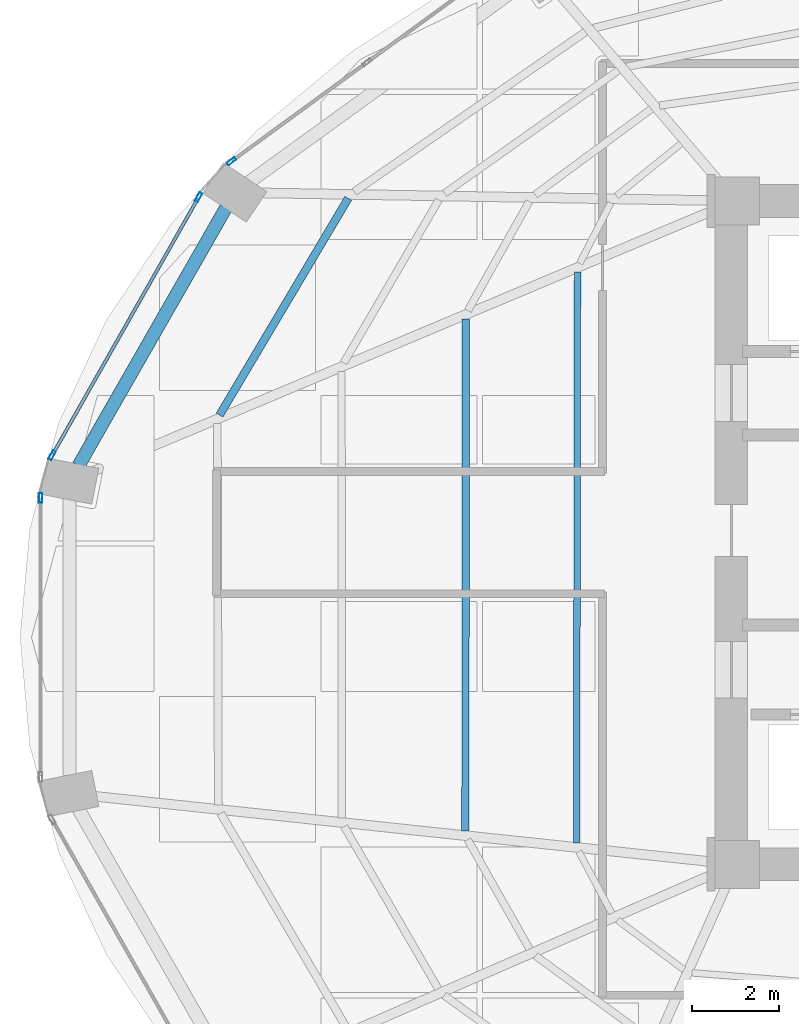
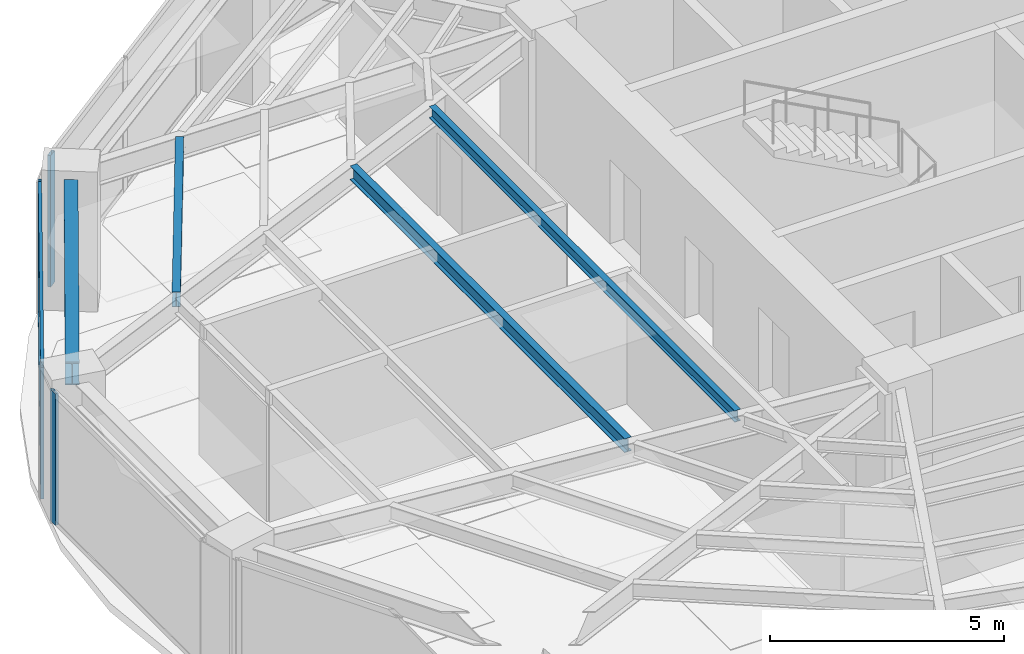
# One storey, part 8 of 23: 6 members, 4 beams, 3 elements without a shape of their own.
"""IFC4 building model written with IfcOpenShell, lengths in metres."""

from ifc_helpers import new_model, si_unit, direction, frame, origin, origin_2d, place, context, subcontext, project, spatial, hollow_rectangle, i_section, extrude, material, layer, layer_set, material_profile, profile_set, type_object, element, aggregate, save


model = new_model("IFC4")

# Units and contexts
model_context = context("Model", 3, precision=1e-05, world=origin(), true_north=direction((0.0, 1.0)))
body_context = subcontext(model_context, "Body", "Model", "MODEL_VIEW")
ifc_project = project(units=[si_unit("LENGTHUNIT", "METRE"), si_unit("AREAUNIT", "SQUARE_METRE"), si_unit("VOLUMEUNIT", "CUBIC_METRE"), si_unit("PLANEANGLEUNIT", "RADIAN"), si_unit("MASSUNIT", "GRAM", prefix="KILO")], contexts=[model_context])

# Site, building, storey
site_placement = place(None, origin())
site = spatial("IfcSite", under=ifc_project, at=site_placement, CompositionType="ELEMENT")
building_placement = place(site_placement, origin())
building = spatial("IfcBuilding", under=site, at=building_placement, Name="Lazwardi Medical Tower", CompositionType="ELEMENT")
storey_placement = place(building_placement, frame((0.0, 0.0, 125.52001953125)))
storey = spatial("IfcBuildingStorey", under=building, at=storey_placement, Name="L32", CompositionType="ELEMENT", Elevation=125.52001953125)

# Beams
ifc_material_1 = material(Name="Steel S355", Category="steel")
ifc_material_profile_1 = material_profile(ifc_material_1, i_section(OverallWidth=0.300048828125, OverallDepth=0.60009765625, WebThickness=0.015380859375, FlangeThickness=0.030029296875, at=origin_2d()), Name="HEB 600")
ifc_profile_set_1 = profile_set([ifc_material_profile_1], Name="Steel S355")
beam_type_1 = type_object("IfcBeamType", Name="BM-RB-Z2", PredefinedType="BEAM", material=ifc_profile_set_1)
beam_1_placement = place(storey_placement, frame((14.718505859375, 35.438720703125, 3.1279296875), z_axis=(-0.496653025517, -0.867949176072, 0.0), x_axis=(0.867949176072, -0.496653025517, 0.0)))
element("IfcBeam", 1, at=beam_1_placement, inside=storey, type_object=beam_type_1, Name="Ring beam RB-03 B11 L32", PredefinedType="BEAM", context=body_context, shape_type="SweptSolid", body=[
    extrude(i_section(OverallWidth=0.300048828125, OverallDepth=0.60009765625, WebThickness=0.015380859375, FlangeThickness=0.030029296875, at=origin_2d()), origin(), (0.0, 0.0, 1.0), 6.80078125),
])
ifc_material_profile_2 = material_profile(ifc_material_1, i_section(OverallWidth=0.179931640625, OverallDepth=0.39990234375, WebThickness=0.008544921875, FlangeThickness=0.013427734375, at=origin_2d()), Name="IPE 400")
ifc_profile_set_2 = profile_set([ifc_material_profile_2], Name="Steel S355")
beam_type_2 = type_object("IfcBeamType", Name="BM-SJ-01", PredefinedType="JOIST", material=ifc_profile_set_2)
beam_2_placement = place(storey_placement, frame((17.52099609375, 35.659423828125, 3.22802734375), z_axis=(-0.510499691073, -0.859877936346, 0.0), x_axis=(0.859877936346, -0.510499691073, 0.0)))
element("IfcBeam", 2, at=beam_2_placement, inside=storey, type_object=beam_type_2, Name="Secondary joist SJ-01 R1 B11 L32", PredefinedType="JOIST", context=body_context, shape_type="SweptSolid", body=[
    extrude(i_section(OverallWidth=0.179931640625, OverallDepth=0.39990234375, WebThickness=0.008544921875, FlangeThickness=0.013427734375, at=origin_2d()), origin(), (0.0, 0.0, 1.0), 5.776123046875),
])
ifc_material_profile_3 = material_profile(ifc_material_1, i_section(OverallWidth=0.169921875, OverallDepth=0.360107421875, WebThickness=0.008056640625, FlangeThickness=0.0126953125, at=origin_2d()), Name="IPE 360")
ifc_profile_set_3 = profile_set([ifc_material_profile_3], Name="Steel S355")
beam_type_3 = type_object("IfcBeamType", Name="BM-SJ-02", PredefinedType="JOIST", material=ifc_profile_set_3)
beam_3_placement = place(storey_placement, frame((20.212890625, 32.892578125, 3.248046875), z_axis=(-0.000561961365, -0.9999998421, 0.0), x_axis=(0.9999998421, -0.000561961365, 0.0)))
element("IfcBeam", 3, at=beam_3_placement, inside=storey, type_object=beam_type_3, Name="Secondary joist SJ-02 R3 B12 L32", PredefinedType="JOIST", context=body_context, shape_type="SweptSolid", body=[
    extrude(i_section(OverallWidth=0.169921875, OverallDepth=0.360107421875, WebThickness=0.008056640625, FlangeThickness=0.0126953125, at=origin_2d()), origin(), (0.0, 0.0, 1.0), 11.72998046875),
])
ifc_material_profile_4 = material_profile(ifc_material_1, i_section(OverallWidth=0.14990234375, OverallDepth=0.300048828125, WebThickness=0.007080078125, FlangeThickness=0.0107421875, at=origin_2d()), Name="IPE 300")
ifc_profile_set_4 = profile_set([ifc_material_profile_4], Name="Steel S355")
beam_type_4 = type_object("IfcBeamType", Name="BM-SJ-03", PredefinedType="JOIST", material=ifc_profile_set_4)
beam_4_placement = place(storey_placement, frame((22.77490234375, 33.97021484375, 3.278076171875), z_axis=(-0.00156809843, -0.999998770533, 0.0), x_axis=(0.999998770533, -0.00156809843, 0.0)))
element("IfcBeam", 4, at=beam_4_placement, inside=storey, type_object=beam_type_4, Name="Secondary joist SJ-03 R4 B12 L32", PredefinedType="JOIST", context=body_context, shape_type="SweptSolid", body=[
    extrude(i_section(OverallWidth=0.14990234375, OverallDepth=0.300048828125, WebThickness=0.007080078125, FlangeThickness=0.0107421875, at=origin_2d()), origin(), (0.0, 0.0, 1.0), 13.078125),
])

# Curtain wall, member
ifc_material_2 = material(Name="Anodised bronze aluminium and solar control glazing", Category="aluminium")
ifc_layer = layer(ifc_material_2, 0.195068359375)
ifc_layer_set = layer_set([ifc_layer], Name="Anodised bronze aluminium and solar control glazing")
curtain_wall_type = type_object("IfcCurtainWallType", Name="CW-SYS-03", PredefinedType="NOTDEFINED", material=ifc_layer_set)
curtain_wall_1_placement = place(storey_placement, origin())
curtain_wall_1 = element("IfcCurtainWall", 5, at=curtain_wall_1_placement, inside=storey, type_object=curtain_wall_type, Name="L32 Unitised bronze curtain wall CW-03", PredefinedType="NOTDEFINED")
ifc_material_3 = material(Name="Anodised bronze aluminium", Category="aluminium")
ifc_material_profile_5 = material_profile(ifc_material_3, hollow_rectangle(XDim=0.074951171875, YDim=0.219970703125, WallThickness=0.00390625, at=origin_2d()), Name="ALU-MULLION 220x75x4")
ifc_profile_set_5 = profile_set([ifc_material_profile_5], Name="Anodised bronze aluminium")
member_type_1 = type_object("IfcMemberType", Name="CW-MUL-01", PredefinedType="MULLION", material=ifc_profile_set_5)
member_1_placement = place(storey_placement, frame((14.844970703125, 36.5087890625, 0.0), z_axis=(0.0, 0.0, 1.0), x_axis=(0.589530882802, -0.807745837639, 0.0)))
member_1 = element("IfcMember", 6, at=member_1_placement, type_object=member_type_1, Name="CW-03 mullion 3", PredefinedType="MULLION", context=body_context, shape_type="SweptSolid", body=[
    extrude(hollow_rectangle(XDim=0.074951171875, YDim=0.219970703125, WallThickness=0.00390625, at=origin_2d()), origin(), (0.0, 0.0, 1.0), 3.427978515625),
])
aggregate(curtain_wall_1, [member_1])

# Curtain wall, members
curtain_wall_2_placement = place(storey_placement, origin())
curtain_wall_2 = element("IfcCurtainWall", 7, at=curtain_wall_2_placement, inside=storey, type_object=curtain_wall_type, Name="L32 Unitised bronze curtain wall CW-03", PredefinedType="NOTDEFINED")
member_2_placement = place(storey_placement, frame((14.0927734375, 35.685791015625, 0.0), z_axis=(0.0, 0.0, 1.0), x_axis=(0.869687265712, -0.493603140041, 0.0)))
member_2 = element("IfcMember", 8, at=member_2_placement, type_object=member_type_1, Name="CW-03 mullion 1", PredefinedType="MULLION", context=body_context, shape_type="SweptSolid", body=[
    extrude(hollow_rectangle(XDim=0.074951171875, YDim=0.219970703125, WallThickness=0.00390625, at=origin_2d()), origin(), (0.0, 0.0, 1.0), 3.427978515625),
])
member_3_placement = place(storey_placement, frame((10.7373046875, 29.77392578125, 0.0), z_axis=(0.0, 0.0, 1.0), x_axis=(0.869687265712, -0.493603140041, 0.0)))
member_3 = element("IfcMember", 9, at=member_3_placement, type_object=member_type_1, Name="CW-03 mullion 2", PredefinedType="MULLION", context=body_context, shape_type="SweptSolid", body=[
    extrude(hollow_rectangle(XDim=0.074951171875, YDim=0.219970703125, WallThickness=0.00390625, at=origin_2d()), origin(), (0.0, 0.0, 1.0), 3.427978515625),
])

# Curtain wall, member
curtain_wall_3_placement = place(storey_placement, origin())
curtain_wall_3 = element("IfcCurtainWall", 10, at=curtain_wall_3_placement, inside=storey, type_object=curtain_wall_type, Name="L32 Unitised bronze curtain wall CW-03", PredefinedType="NOTDEFINED")
member_4_placement = place(storey_placement, frame((10.471923828125, 28.79736328125, 0.0), z_axis=(0.0, 0.0, 1.0), x_axis=(1.0, 0.0, 0.0)))
member_4 = element("IfcMember", 11, at=member_4_placement, type_object=member_type_1, Name="CW-03 mullion 1", PredefinedType="MULLION", context=body_context, shape_type="SweptSolid", body=[
    extrude(hollow_rectangle(XDim=0.074951171875, YDim=0.219970703125, WallThickness=0.00390625, at=origin_2d()), origin(), (0.0, 0.0, 1.0), 3.427978515625),
])
aggregate(curtain_wall_3, [member_4])

# Member
ifc_material_profile_6 = material_profile(ifc_material_3, hollow_rectangle(XDim=0.074951171875, YDim=0.159912109375, WallThickness=0.00390625, at=origin_2d()), Name="ALU-TRANSOM 160x75x4")
ifc_profile_set_6 = profile_set([ifc_material_profile_6], Name="Anodised bronze aluminium")
member_type_2 = type_object("IfcMemberType", Name="CW-TRN-01", PredefinedType="USERDEFINED", material=ifc_profile_set_6)
member_5_placement = place(storey_placement, frame((14.074462890625, 35.6533203125, 0.03759765625), z_axis=(-0.493614427365, -0.869680859337, 0.0), x_axis=(0.869680859337, -0.493614427365, 0.0)))
member_5 = element("IfcMember", 12, at=member_5_placement, type_object=member_type_2, Name="CW-03 transom 1.1", ObjectType="TRANSOM", PredefinedType="USERDEFINED", context=body_context, shape_type="SweptSolid", body=[
    extrude(hollow_rectangle(XDim=0.074951171875, YDim=0.159912109375, WallThickness=0.00390625, at=origin_2d()), origin(), (0.0, 0.0, 1.0), 6.72314453125),
])

member_6_placement = place(storey_placement, frame((14.074462890625, 35.6533203125, 3.390380859375), z_axis=(-0.493614427365, -0.869680859337, 0.0), x_axis=(0.869680859337, -0.493614427365, 0.0)))
member_6 = element("IfcMember", 13, at=member_6_placement, type_object=member_type_2, Name="CW-03 transom 1.2", ObjectType="TRANSOM", PredefinedType="USERDEFINED", context=body_context, shape_type="SweptSolid", body=[
    extrude(hollow_rectangle(XDim=0.074951171875, YDim=0.159912109375, WallThickness=0.00390625, at=origin_2d()), origin(), (0.0, 0.0, 1.0), 6.72314453125),
])

aggregate(curtain_wall_2, [member_2, member_3, member_5, member_6])

save(model, "model.ifc")
